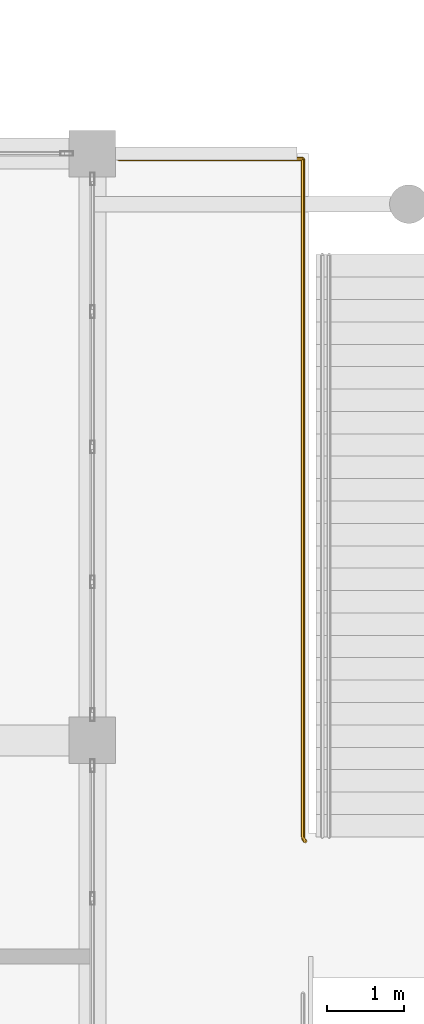
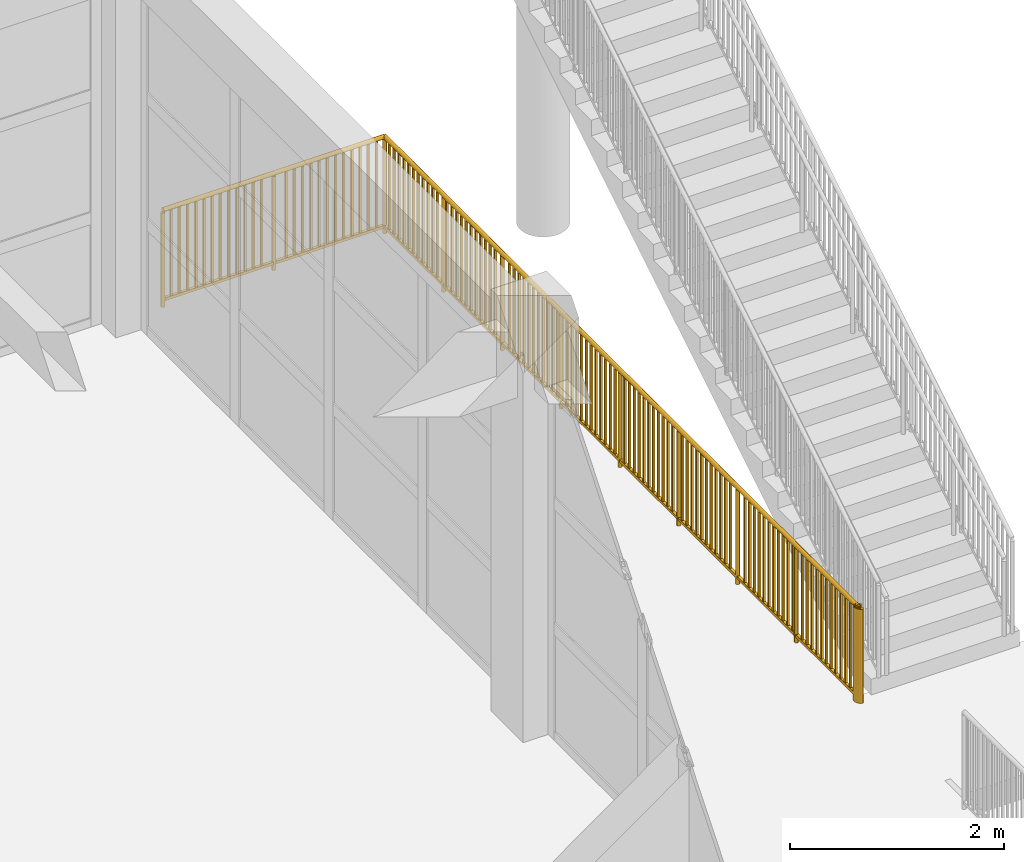
# One storey, part 48 of 50: 1 railing.
"""IFC4 building model written with IfcOpenShell, lengths in metres."""

from ifc_helpers import new_model, si_unit, direction, frame, origin, origin_2d, place, context, subcontext, project, spatial, rectangle, circle, extrude, material, type_object, element, save


model = new_model("IFC4")

# Units and contexts
model_context = context("Model", 3, precision=1e-05, world=origin(), true_north=direction((0.0, 1.0)))
body_context = subcontext(model_context, "Body", "Model", "MODEL_VIEW")
ifc_project = project(units=[si_unit("LENGTHUNIT", "METRE"), si_unit("AREAUNIT", "SQUARE_METRE"), si_unit("VOLUMEUNIT", "CUBIC_METRE"), si_unit("PLANEANGLEUNIT", "RADIAN"), si_unit("MASSUNIT", "GRAM", prefix="KILO")], contexts=[model_context])

# Site, building, storey
site_placement = place(None, origin())
site = spatial("IfcSite", under=ifc_project, at=site_placement, CompositionType="ELEMENT")
building_placement = place(site_placement, origin())
building = spatial("IfcBuilding", under=site, at=building_placement, Name="Zantavel Square City Hall", CompositionType="ELEMENT")
storey_placement = place(building_placement, frame((0.0, 0.0, 18.89990234375)))
storey = spatial("IfcBuildingStorey", under=building, at=storey_placement, Name="L05", CompositionType="ELEMENT", Elevation=18.89990234375)

# Railing
ifc_material = material(Name="Steel ASTM A500 Grade B", Category="steel")
railing_type = type_object("IfcRailingType", Name="Classical Stone & Steel Terrace Balustrade 1100mm", PredefinedType="BALUSTRADE", material=ifc_material)
railing_placement = place(storey_placement, frame((112.340087890625, 68.330078125, 0.0)))
element("IfcRailing", 1, at=railing_placement, inside=storey, type_object=railing_type, Name="L05 Terrace Balustrade 053", PredefinedType="BALUSTRADE", context=body_context, shape_type="SweptSolid", body=[
    extrude(circle(Radius=0.02392578125, at=origin_2d()), frame((0.0, 0.0, 1.09619140625), z_axis=(1.0, 0.0, 0.0), x_axis=(0.0, 1.0, 0.0)), (0.0, 0.0, 1.0), 2.389892578125),
    extrude(rectangle(XDim=0.031982421875, YDim=0.031982421875, at=origin_2d()), frame((0.0, 0.0, 0.080078125), z_axis=(1.0, 0.0, 0.0), x_axis=(0.0, 1.0, 0.0)), (0.0, 0.0, 1.0), 2.389892578125),
    extrude(rectangle(XDim=0.02197265625, YDim=0.02197265625, at=origin_2d()), frame((0.088623046875, 0.0, 0.080078125)), (0.0, 0.0, 1.0), 0.991943359375),
    extrude(rectangle(XDim=0.02197265625, YDim=0.02197265625, at=origin_2d()), frame((0.177001953125, 0.0, 0.080078125)), (0.0, 0.0, 1.0), 0.991943359375),
    extrude(rectangle(XDim=0.02197265625, YDim=0.02197265625, at=origin_2d()), frame((0.265625, 0.0, 0.080078125)), (0.0, 0.0, 1.0), 0.991943359375),
    extrude(rectangle(XDim=0.02197265625, YDim=0.02197265625, at=origin_2d()), frame((0.35400390625, 0.0, 0.080078125)), (0.0, 0.0, 1.0), 0.991943359375),
    extrude(rectangle(XDim=0.02197265625, YDim=0.02197265625, at=origin_2d()), frame((0.442626953125, 0.0, 0.080078125)), (0.0, 0.0, 1.0), 0.991943359375),
    extrude(rectangle(XDim=0.02197265625, YDim=0.02197265625, at=origin_2d()), frame((0.531005859375, 0.0, 0.080078125)), (0.0, 0.0, 1.0), 0.991943359375),
    extrude(rectangle(XDim=0.02197265625, YDim=0.02197265625, at=origin_2d()), frame((0.61962890625, 0.0, 0.080078125)), (0.0, 0.0, 1.0), 0.991943359375),
    extrude(rectangle(XDim=0.02197265625, YDim=0.02197265625, at=origin_2d()), frame((0.7080078125, 0.0, 0.080078125)), (0.0, 0.0, 1.0), 0.991943359375),
    extrude(rectangle(XDim=0.02197265625, YDim=0.02197265625, at=origin_2d()), frame((0.796630859375, 0.0, 0.080078125)), (0.0, 0.0, 1.0), 0.991943359375),
    extrude(rectangle(XDim=0.02197265625, YDim=0.02197265625, at=origin_2d()), frame((0.88525390625, 0.0, 0.080078125)), (0.0, 0.0, 1.0), 0.991943359375),
    extrude(rectangle(XDim=0.02197265625, YDim=0.02197265625, at=origin_2d()), frame((0.9736328125, 0.0, 0.080078125)), (0.0, 0.0, 1.0), 0.991943359375),
    extrude(rectangle(XDim=0.02197265625, YDim=0.02197265625, at=origin_2d()), frame((1.062255859375, 0.0, 0.080078125)), (0.0, 0.0, 1.0), 0.991943359375),
    extrude(rectangle(XDim=0.02197265625, YDim=0.02197265625, at=origin_2d()), frame((1.32763671875, 0.0, 0.080078125)), (0.0, 0.0, 1.0), 0.991943359375),
    extrude(rectangle(XDim=0.02197265625, YDim=0.02197265625, at=origin_2d()), frame((1.416259765625, 0.0, 0.080078125)), (0.0, 0.0, 1.0), 0.991943359375),
    extrude(rectangle(XDim=0.02197265625, YDim=0.02197265625, at=origin_2d()), frame((1.504638671875, 0.0, 0.080078125)), (0.0, 0.0, 1.0), 0.991943359375),
    extrude(rectangle(XDim=0.02197265625, YDim=0.02197265625, at=origin_2d()), frame((1.59326171875, 0.0, 0.080078125)), (0.0, 0.0, 1.0), 0.991943359375),
    extrude(rectangle(XDim=0.02197265625, YDim=0.02197265625, at=origin_2d()), frame((1.681884765625, 0.0, 0.080078125)), (0.0, 0.0, 1.0), 0.991943359375),
    extrude(rectangle(XDim=0.02197265625, YDim=0.02197265625, at=origin_2d()), frame((1.770263671875, 0.0, 0.080078125)), (0.0, 0.0, 1.0), 0.991943359375),
    extrude(rectangle(XDim=0.02197265625, YDim=0.02197265625, at=origin_2d()), frame((1.85888671875, 0.0, 0.080078125)), (0.0, 0.0, 1.0), 0.991943359375),
    extrude(rectangle(XDim=0.02197265625, YDim=0.02197265625, at=origin_2d()), frame((1.947265625, 0.0, 0.080078125)), (0.0, 0.0, 1.0), 0.991943359375),
    extrude(rectangle(XDim=0.02197265625, YDim=0.02197265625, at=origin_2d()), frame((2.035888671875, 0.0, 0.080078125)), (0.0, 0.0, 1.0), 0.991943359375),
    extrude(rectangle(XDim=0.02197265625, YDim=0.02197265625, at=origin_2d()), frame((2.124267578125, 0.0, 0.080078125)), (0.0, 0.0, 1.0), 0.991943359375),
    extrude(rectangle(XDim=0.02197265625, YDim=0.02197265625, at=origin_2d()), frame((2.212890625, 0.0, 0.080078125)), (0.0, 0.0, 1.0), 0.991943359375),
    extrude(rectangle(XDim=0.02197265625, YDim=0.02197265625, at=origin_2d()), frame((2.30126953125, 0.0, 0.080078125)), (0.0, 0.0, 1.0), 0.991943359375),
    extrude(circle(Radius=0.02392578125, at=origin_2d()), frame((2.389892578125, 0.0, 1.09619140625), z_axis=(0.0, -1.0, 0.0), x_axis=(1.0, 0.0, 0.0)), (0.0, 0.0, 1.0), 8.780029296875),
    extrude(rectangle(XDim=0.031982421875, YDim=0.031982421875, at=origin_2d()), frame((2.389892578125, 0.0, 0.080078125), z_axis=(0.0, -1.0, 0.0), x_axis=(1.0, 0.0, 0.0)), (0.0, 0.0, 1.0), 8.780029296875),
    extrude(rectangle(XDim=0.02197265625, YDim=0.02197265625, at=origin_2d()), frame((2.389892578125, -0.089599609375, 0.080078125)), (0.0, 0.0, 1.0), 0.991943359375),
    extrude(rectangle(XDim=0.02197265625, YDim=0.02197265625, at=origin_2d()), frame((2.389892578125, -0.17919921875, 0.080078125)), (0.0, 0.0, 1.0), 0.991943359375),
    extrude(rectangle(XDim=0.02197265625, YDim=0.02197265625, at=origin_2d()), frame((2.389892578125, -0.268798828125, 0.080078125)), (0.0, 0.0, 1.0), 0.991943359375),
    extrude(rectangle(XDim=0.02197265625, YDim=0.02197265625, at=origin_2d()), frame((2.389892578125, -0.3583984375, 0.080078125)), (0.0, 0.0, 1.0), 0.991943359375),
    extrude(rectangle(XDim=0.02197265625, YDim=0.02197265625, at=origin_2d()), frame((2.389892578125, -0.447998046875, 0.080078125)), (0.0, 0.0, 1.0), 0.991943359375),
    extrude(rectangle(XDim=0.02197265625, YDim=0.02197265625, at=origin_2d()), frame((2.389892578125, -0.53759765625, 0.080078125)), (0.0, 0.0, 1.0), 0.991943359375),
    extrude(rectangle(XDim=0.02197265625, YDim=0.02197265625, at=origin_2d()), frame((2.389892578125, -0.627197265625, 0.080078125)), (0.0, 0.0, 1.0), 0.991943359375),
    extrude(rectangle(XDim=0.02197265625, YDim=0.02197265625, at=origin_2d()), frame((2.389892578125, -0.716796875, 0.080078125)), (0.0, 0.0, 1.0), 0.991943359375),
    extrude(rectangle(XDim=0.02197265625, YDim=0.02197265625, at=origin_2d()), frame((2.389892578125, -0.806396484375, 0.080078125)), (0.0, 0.0, 1.0), 0.991943359375),
    extrude(rectangle(XDim=0.02197265625, YDim=0.02197265625, at=origin_2d()), frame((2.389892578125, -0.89599609375, 0.080078125)), (0.0, 0.0, 1.0), 0.991943359375),
    extrude(rectangle(XDim=0.02197265625, YDim=0.02197265625, at=origin_2d()), frame((2.389892578125, -0.985595703125, 0.080078125)), (0.0, 0.0, 1.0), 0.991943359375),
    extrude(rectangle(XDim=0.02197265625, YDim=0.02197265625, at=origin_2d()), frame((2.389892578125, -1.164794921875, 0.080078125)), (0.0, 0.0, 1.0), 0.991943359375),
    extrude(rectangle(XDim=0.02197265625, YDim=0.02197265625, at=origin_2d()), frame((2.389892578125, -1.25439453125, 0.080078125)), (0.0, 0.0, 1.0), 0.991943359375),
    extrude(rectangle(XDim=0.02197265625, YDim=0.02197265625, at=origin_2d()), frame((2.389892578125, -1.343994140625, 0.080078125)), (0.0, 0.0, 1.0), 0.991943359375),
    extrude(rectangle(XDim=0.02197265625, YDim=0.02197265625, at=origin_2d()), frame((2.389892578125, -1.43359375, 0.080078125)), (0.0, 0.0, 1.0), 0.991943359375),
    extrude(rectangle(XDim=0.02197265625, YDim=0.02197265625, at=origin_2d()), frame((2.389892578125, -1.52294921875, 0.080078125)), (0.0, 0.0, 1.0), 0.991943359375),
    extrude(rectangle(XDim=0.02197265625, YDim=0.02197265625, at=origin_2d()), frame((2.389892578125, -1.612548828125, 0.080078125)), (0.0, 0.0, 1.0), 0.991943359375),
    extrude(rectangle(XDim=0.02197265625, YDim=0.02197265625, at=origin_2d()), frame((2.389892578125, -1.7021484375, 0.080078125)), (0.0, 0.0, 1.0), 0.991943359375),
    extrude(rectangle(XDim=0.02197265625, YDim=0.02197265625, at=origin_2d()), frame((2.389892578125, -1.791748046875, 0.080078125)), (0.0, 0.0, 1.0), 0.991943359375),
    extrude(rectangle(XDim=0.02197265625, YDim=0.02197265625, at=origin_2d()), frame((2.389892578125, -1.88134765625, 0.080078125)), (0.0, 0.0, 1.0), 0.991943359375),
    extrude(rectangle(XDim=0.02197265625, YDim=0.02197265625, at=origin_2d()), frame((2.389892578125, -1.970947265625, 0.080078125)), (0.0, 0.0, 1.0), 0.991943359375),
    extrude(rectangle(XDim=0.02197265625, YDim=0.02197265625, at=origin_2d()), frame((2.389892578125, -2.060546875, 0.080078125)), (0.0, 0.0, 1.0), 0.991943359375),
    extrude(rectangle(XDim=0.02197265625, YDim=0.02197265625, at=origin_2d()), frame((2.389892578125, -2.329345703125, 0.080078125)), (0.0, 0.0, 1.0), 0.991943359375),
    extrude(rectangle(XDim=0.02197265625, YDim=0.02197265625, at=origin_2d()), frame((2.389892578125, -2.4189453125, 0.080078125)), (0.0, 0.0, 1.0), 0.991943359375),
    extrude(rectangle(XDim=0.02197265625, YDim=0.02197265625, at=origin_2d()), frame((2.389892578125, -2.508544921875, 0.080078125)), (0.0, 0.0, 1.0), 0.991943359375),
    extrude(rectangle(XDim=0.02197265625, YDim=0.02197265625, at=origin_2d()), frame((2.389892578125, -2.59814453125, 0.080078125)), (0.0, 0.0, 1.0), 0.991943359375),
    extrude(rectangle(XDim=0.02197265625, YDim=0.02197265625, at=origin_2d()), frame((2.389892578125, -2.687744140625, 0.080078125)), (0.0, 0.0, 1.0), 0.991943359375),
    extrude(rectangle(XDim=0.02197265625, YDim=0.02197265625, at=origin_2d()), frame((2.389892578125, -2.77734375, 0.080078125)), (0.0, 0.0, 1.0), 0.991943359375),
    extrude(rectangle(XDim=0.02197265625, YDim=0.02197265625, at=origin_2d()), frame((2.389892578125, -2.866943359375, 0.080078125)), (0.0, 0.0, 1.0), 0.991943359375),
    extrude(rectangle(XDim=0.02197265625, YDim=0.02197265625, at=origin_2d()), frame((2.389892578125, -2.95654296875, 0.080078125)), (0.0, 0.0, 1.0), 0.991943359375),
    extrude(rectangle(XDim=0.02197265625, YDim=0.02197265625, at=origin_2d()), frame((2.389892578125, -3.046142578125, 0.080078125)), (0.0, 0.0, 1.0), 0.991943359375),
    extrude(rectangle(XDim=0.02197265625, YDim=0.02197265625, at=origin_2d()), frame((2.389892578125, -3.1357421875, 0.080078125)), (0.0, 0.0, 1.0), 0.991943359375),
    extrude(rectangle(XDim=0.02197265625, YDim=0.02197265625, at=origin_2d()), frame((2.389892578125, -3.225341796875, 0.080078125)), (0.0, 0.0, 1.0), 0.991943359375),
    extrude(rectangle(XDim=0.02197265625, YDim=0.02197265625, at=origin_2d()), frame((2.389892578125, -3.404541015625, 0.080078125)), (0.0, 0.0, 1.0), 0.991943359375),
    extrude(rectangle(XDim=0.02197265625, YDim=0.02197265625, at=origin_2d()), frame((2.389892578125, -3.494140625, 0.080078125)), (0.0, 0.0, 1.0), 0.991943359375),
    extrude(rectangle(XDim=0.02197265625, YDim=0.02197265625, at=origin_2d()), frame((2.389892578125, -3.583740234375, 0.080078125)), (0.0, 0.0, 1.0), 0.991943359375),
    extrude(rectangle(XDim=0.02197265625, YDim=0.02197265625, at=origin_2d()), frame((2.389892578125, -3.67333984375, 0.080078125)), (0.0, 0.0, 1.0), 0.991943359375),
    extrude(rectangle(XDim=0.02197265625, YDim=0.02197265625, at=origin_2d()), frame((2.389892578125, -3.762939453125, 0.080078125)), (0.0, 0.0, 1.0), 0.991943359375),
    extrude(rectangle(XDim=0.02197265625, YDim=0.02197265625, at=origin_2d()), frame((2.389892578125, -3.8525390625, 0.080078125)), (0.0, 0.0, 1.0), 0.991943359375),
    extrude(rectangle(XDim=0.02197265625, YDim=0.02197265625, at=origin_2d()), frame((2.389892578125, -3.942138671875, 0.080078125)), (0.0, 0.0, 1.0), 0.991943359375),
    extrude(rectangle(XDim=0.02197265625, YDim=0.02197265625, at=origin_2d()), frame((2.389892578125, -4.03173828125, 0.080078125)), (0.0, 0.0, 1.0), 0.991943359375),
    extrude(rectangle(XDim=0.02197265625, YDim=0.02197265625, at=origin_2d()), frame((2.389892578125, -4.121337890625, 0.080078125)), (0.0, 0.0, 1.0), 0.991943359375),
    extrude(rectangle(XDim=0.02197265625, YDim=0.02197265625, at=origin_2d()), frame((2.389892578125, -4.2109375, 0.080078125)), (0.0, 0.0, 1.0), 0.991943359375),
    extrude(rectangle(XDim=0.02197265625, YDim=0.02197265625, at=origin_2d()), frame((2.389892578125, -4.300537109375, 0.080078125)), (0.0, 0.0, 1.0), 0.991943359375),
    extrude(rectangle(XDim=0.02197265625, YDim=0.02197265625, at=origin_2d()), frame((2.389892578125, -4.4794921875, 0.080078125)), (0.0, 0.0, 1.0), 0.991943359375),
    extrude(rectangle(XDim=0.02197265625, YDim=0.02197265625, at=origin_2d()), frame((2.389892578125, -4.569091796875, 0.080078125)), (0.0, 0.0, 1.0), 0.991943359375),
    extrude(rectangle(XDim=0.02197265625, YDim=0.02197265625, at=origin_2d()), frame((2.389892578125, -4.65869140625, 0.080078125)), (0.0, 0.0, 1.0), 0.991943359375),
    extrude(rectangle(XDim=0.02197265625, YDim=0.02197265625, at=origin_2d()), frame((2.389892578125, -4.748291015625, 0.080078125)), (0.0, 0.0, 1.0), 0.991943359375),
    extrude(rectangle(XDim=0.02197265625, YDim=0.02197265625, at=origin_2d()), frame((2.389892578125, -4.837890625, 0.080078125)), (0.0, 0.0, 1.0), 0.991943359375),
    extrude(rectangle(XDim=0.02197265625, YDim=0.02197265625, at=origin_2d()), frame((2.389892578125, -4.927490234375, 0.080078125)), (0.0, 0.0, 1.0), 0.991943359375),
    extrude(rectangle(XDim=0.02197265625, YDim=0.02197265625, at=origin_2d()), frame((2.389892578125, -5.01708984375, 0.080078125)), (0.0, 0.0, 1.0), 0.991943359375),
    extrude(rectangle(XDim=0.02197265625, YDim=0.02197265625, at=origin_2d()), frame((2.389892578125, -5.106689453125, 0.080078125)), (0.0, 0.0, 1.0), 0.991943359375),
    extrude(rectangle(XDim=0.02197265625, YDim=0.02197265625, at=origin_2d()), frame((2.389892578125, -5.1962890625, 0.080078125)), (0.0, 0.0, 1.0), 0.991943359375),
    extrude(rectangle(XDim=0.02197265625, YDim=0.02197265625, at=origin_2d()), frame((2.389892578125, -5.285888671875, 0.080078125)), (0.0, 0.0, 1.0), 0.991943359375),
    extrude(rectangle(XDim=0.02197265625, YDim=0.02197265625, at=origin_2d()), frame((2.389892578125, -5.37548828125, 0.080078125)), (0.0, 0.0, 1.0), 0.991943359375),
    extrude(rectangle(XDim=0.02197265625, YDim=0.02197265625, at=origin_2d()), frame((2.389892578125, -5.5546875, 0.080078125)), (0.0, 0.0, 1.0), 0.991943359375),
    extrude(rectangle(XDim=0.02197265625, YDim=0.02197265625, at=origin_2d()), frame((2.389892578125, -5.644287109375, 0.080078125)), (0.0, 0.0, 1.0), 0.991943359375),
    extrude(rectangle(XDim=0.02197265625, YDim=0.02197265625, at=origin_2d()), frame((2.389892578125, -5.73388671875, 0.080078125)), (0.0, 0.0, 1.0), 0.991943359375),
    extrude(rectangle(XDim=0.02197265625, YDim=0.02197265625, at=origin_2d()), frame((2.389892578125, -5.823486328125, 0.080078125)), (0.0, 0.0, 1.0), 0.991943359375),
    extrude(rectangle(XDim=0.02197265625, YDim=0.02197265625, at=origin_2d()), frame((2.389892578125, -5.9130859375, 0.080078125)), (0.0, 0.0, 1.0), 0.991943359375),
    extrude(rectangle(XDim=0.02197265625, YDim=0.02197265625, at=origin_2d()), frame((2.389892578125, -6.002685546875, 0.080078125)), (0.0, 0.0, 1.0), 0.991943359375),
    extrude(rectangle(XDim=0.02197265625, YDim=0.02197265625, at=origin_2d()), frame((2.389892578125, -6.09228515625, 0.080078125)), (0.0, 0.0, 1.0), 0.991943359375),
    extrude(rectangle(XDim=0.02197265625, YDim=0.02197265625, at=origin_2d()), frame((2.389892578125, -6.181884765625, 0.080078125)), (0.0, 0.0, 1.0), 0.991943359375),
    extrude(rectangle(XDim=0.02197265625, YDim=0.02197265625, at=origin_2d()), frame((2.389892578125, -6.271484375, 0.080078125)), (0.0, 0.0, 1.0), 0.991943359375),
    extrude(rectangle(XDim=0.02197265625, YDim=0.02197265625, at=origin_2d()), frame((2.389892578125, -6.361083984375, 0.080078125)), (0.0, 0.0, 1.0), 0.991943359375),
    extrude(rectangle(XDim=0.02197265625, YDim=0.02197265625, at=origin_2d()), frame((2.389892578125, -6.45068359375, 0.080078125)), (0.0, 0.0, 1.0), 0.991943359375),
    extrude(rectangle(XDim=0.02197265625, YDim=0.02197265625, at=origin_2d()), frame((2.389892578125, -6.719482421875, 0.080078125)), (0.0, 0.0, 1.0), 0.991943359375),
    extrude(rectangle(XDim=0.02197265625, YDim=0.02197265625, at=origin_2d()), frame((2.389892578125, -6.80908203125, 0.080078125)), (0.0, 0.0, 1.0), 0.991943359375),
    extrude(rectangle(XDim=0.02197265625, YDim=0.02197265625, at=origin_2d()), frame((2.389892578125, -6.898681640625, 0.080078125)), (0.0, 0.0, 1.0), 0.991943359375),
    extrude(rectangle(XDim=0.02197265625, YDim=0.02197265625, at=origin_2d()), frame((2.389892578125, -6.98828125, 0.080078125)), (0.0, 0.0, 1.0), 0.991943359375),
    extrude(rectangle(XDim=0.02197265625, YDim=0.02197265625, at=origin_2d()), frame((2.389892578125, -7.077880859375, 0.080078125)), (0.0, 0.0, 1.0), 0.991943359375),
    extrude(rectangle(XDim=0.02197265625, YDim=0.02197265625, at=origin_2d()), frame((2.389892578125, -7.16748046875, 0.080078125)), (0.0, 0.0, 1.0), 0.991943359375),
    extrude(rectangle(XDim=0.02197265625, YDim=0.02197265625, at=origin_2d()), frame((2.389892578125, -7.257080078125, 0.080078125)), (0.0, 0.0, 1.0), 0.991943359375),
    extrude(rectangle(XDim=0.02197265625, YDim=0.02197265625, at=origin_2d()), frame((2.389892578125, -7.346435546875, 0.080078125)), (0.0, 0.0, 1.0), 0.991943359375),
    extrude(rectangle(XDim=0.02197265625, YDim=0.02197265625, at=origin_2d()), frame((2.389892578125, -7.43603515625, 0.080078125)), (0.0, 0.0, 1.0), 0.991943359375),
    extrude(rectangle(XDim=0.02197265625, YDim=0.02197265625, at=origin_2d()), frame((2.389892578125, -7.525634765625, 0.080078125)), (0.0, 0.0, 1.0), 0.991943359375),
    extrude(rectangle(XDim=0.02197265625, YDim=0.02197265625, at=origin_2d()), frame((2.389892578125, -7.615234375, 0.080078125)), (0.0, 0.0, 1.0), 0.991943359375),
    extrude(rectangle(XDim=0.02197265625, YDim=0.02197265625, at=origin_2d()), frame((2.389892578125, -7.79443359375, 0.080078125)), (0.0, 0.0, 1.0), 0.991943359375),
    extrude(rectangle(XDim=0.02197265625, YDim=0.02197265625, at=origin_2d()), frame((2.389892578125, -7.884033203125, 0.080078125)), (0.0, 0.0, 1.0), 0.991943359375),
    extrude(rectangle(XDim=0.02197265625, YDim=0.02197265625, at=origin_2d()), frame((2.389892578125, -7.9736328125, 0.080078125)), (0.0, 0.0, 1.0), 0.991943359375),
    extrude(rectangle(XDim=0.02197265625, YDim=0.02197265625, at=origin_2d()), frame((2.389892578125, -8.063232421875, 0.080078125)), (0.0, 0.0, 1.0), 0.991943359375),
    extrude(rectangle(XDim=0.02197265625, YDim=0.02197265625, at=origin_2d()), frame((2.389892578125, -8.15283203125, 0.080078125)), (0.0, 0.0, 1.0), 0.991943359375),
    extrude(rectangle(XDim=0.02197265625, YDim=0.02197265625, at=origin_2d()), frame((2.389892578125, -8.242431640625, 0.080078125)), (0.0, 0.0, 1.0), 0.991943359375),
    extrude(rectangle(XDim=0.02197265625, YDim=0.02197265625, at=origin_2d()), frame((2.389892578125, -8.33203125, 0.080078125)), (0.0, 0.0, 1.0), 0.991943359375),
    extrude(rectangle(XDim=0.02197265625, YDim=0.02197265625, at=origin_2d()), frame((2.389892578125, -8.421630859375, 0.080078125)), (0.0, 0.0, 1.0), 0.991943359375),
    extrude(rectangle(XDim=0.02197265625, YDim=0.02197265625, at=origin_2d()), frame((2.389892578125, -8.51123046875, 0.080078125)), (0.0, 0.0, 1.0), 0.991943359375),
    extrude(rectangle(XDim=0.02197265625, YDim=0.02197265625, at=origin_2d()), frame((2.389892578125, -8.600830078125, 0.080078125)), (0.0, 0.0, 1.0), 0.991943359375),
    extrude(rectangle(XDim=0.02197265625, YDim=0.02197265625, at=origin_2d()), frame((2.389892578125, -8.6904296875, 0.080078125)), (0.0, 0.0, 1.0), 0.991943359375),
    extrude(circle(Radius=0.02392578125, at=origin_2d()), frame((2.389892578125, -8.780029296875, 1.09619140625), z_axis=(0.035691530512, -0.999362854348, 0.0), x_axis=(0.999362854348, 0.035691530512, 0.0)), (0.0, 0.0, 1.0), 0.0068359375),
    extrude(rectangle(XDim=0.031982421875, YDim=0.031982421875, at=origin_2d()), frame((2.389892578125, -8.780029296875, 0.080078125), z_axis=(0.035691530512, -0.999362854348, 0.0), x_axis=(0.999362854348, 0.035691530512, 0.0)), (0.0, 0.0, 1.0), 0.0068359375),
    extrude(circle(Radius=0.02392578125, at=origin_2d()), frame((2.39013671875, -8.786865234375, 1.09619140625), z_axis=(0.141421356237, -0.989949493661, 0.0), x_axis=(0.989949493661, 0.141421356237, 0.0)), (0.0, 0.0, 1.0), 0.0068359375),
    extrude(rectangle(XDim=0.031982421875, YDim=0.031982421875, at=origin_2d()), frame((2.39013671875, -8.786865234375, 0.080078125), z_axis=(0.141421356237, -0.989949493661, 0.0), x_axis=(0.989949493661, 0.141421356237, 0.0)), (0.0, 0.0, 1.0), 0.0068359375),
    extrude(circle(Radius=0.02392578125, at=origin_2d()), frame((2.39111328125, -8.793701171875, 1.09619140625), z_axis=(0.250962158784, -0.967996898166, 0.0), x_axis=(0.967996898166, 0.250962158784, 0.0)), (0.0, 0.0, 1.0), 0.0068359375),
    extrude(rectangle(XDim=0.031982421875, YDim=0.031982421875, at=origin_2d()), frame((2.39111328125, -8.793701171875, 0.080078125), z_axis=(0.250962158784, -0.967996898166, 0.0), x_axis=(0.967996898166, 0.250962158784, 0.0)), (0.0, 0.0, 1.0), 0.0068359375),
    extrude(circle(Radius=0.02392578125, at=origin_2d()), frame((2.392822265625, -8.80029296875, 1.09619140625), z_axis=(0.347314355824, -0.937748760724, 0.0), x_axis=(0.937748760724, 0.347314355824, 0.0)), (0.0, 0.0, 1.0), 0.007080078125),
    extrude(rectangle(XDim=0.031982421875, YDim=0.031982421875, at=origin_2d()), frame((2.392822265625, -8.80029296875, 0.080078125), z_axis=(0.347314355824, -0.937748760724, 0.0), x_axis=(0.937748760724, 0.347314355824, 0.0)), (0.0, 0.0, 1.0), 0.007080078125),
    extrude(circle(Radius=0.02392578125, at=origin_2d()), frame((2.395263671875, -8.806884765625, 1.09619140625), z_axis=(0.432731067585, -0.901523057468, 0.0), x_axis=(0.901523057468, 0.432731067585, 0.0)), (0.0, 0.0, 1.0), 0.0068359375),
    extrude(rectangle(XDim=0.031982421875, YDim=0.031982421875, at=origin_2d()), frame((2.395263671875, -8.806884765625, 0.080078125), z_axis=(0.432731067585, -0.901523057468, 0.0), x_axis=(0.901523057468, 0.432731067585, 0.0)), (0.0, 0.0, 1.0), 0.0068359375),
    extrude(circle(Radius=0.02392578125, at=origin_2d()), frame((2.398193359375, -8.81298828125, 1.09619140625), z_axis=(0.488603368932, -0.87250601595, 0.0), x_axis=(0.87250601595, 0.488603368932, 0.0)), (0.0, 0.0, 1.0), 0.007080078125),
    extrude(rectangle(XDim=0.031982421875, YDim=0.031982421875, at=origin_2d()), frame((2.398193359375, -8.81298828125, 0.080078125), z_axis=(0.488603368932, -0.87250601595, 0.0), x_axis=(0.87250601595, 0.488603368932, 0.0)), (0.0, 0.0, 1.0), 0.007080078125),
    extrude(circle(Radius=0.02392578125, at=origin_2d()), frame((2.401611328125, -8.819091796875, 1.09619140625), z_axis=(0.611447501076, -0.791285001392, 0.0), x_axis=(0.791285001392, 0.611447501076, 0.0)), (0.0, 0.0, 1.0), 0.0068359375),
    extrude(rectangle(XDim=0.031982421875, YDim=0.031982421875, at=origin_2d()), frame((2.401611328125, -8.819091796875, 0.080078125), z_axis=(0.611447501076, -0.791285001392, 0.0), x_axis=(0.791285001392, 0.611447501076, 0.0)), (0.0, 0.0, 1.0), 0.0068359375),
    extrude(circle(Radius=0.02392578125, at=origin_2d()), frame((2.40576171875, -8.824462890625, 1.09619140625), z_axis=(0.670913323969, -0.741535779124, 0.0), x_axis=(0.741535779124, 0.670913323969, 0.0)), (0.0, 0.0, 1.0), 0.0068359375),
    extrude(rectangle(XDim=0.031982421875, YDim=0.031982421875, at=origin_2d()), frame((2.40576171875, -8.824462890625, 0.080078125), z_axis=(0.670913323969, -0.741535779124, 0.0), x_axis=(0.741535779124, 0.670913323969, 0.0)), (0.0, 0.0, 1.0), 0.0068359375),
    extrude(circle(Radius=0.02392578125, at=origin_2d()), frame((2.410400390625, -8.82958984375, 1.09619140625), z_axis=(0.741535779124, -0.670913323969, 0.0), x_axis=(0.670913323969, 0.741535779124, 0.0)), (0.0, 0.0, 1.0), 0.0068359375),
    extrude(rectangle(XDim=0.031982421875, YDim=0.031982421875, at=origin_2d()), frame((2.410400390625, -8.82958984375, 0.080078125), z_axis=(0.741535779124, -0.670913323969, 0.0), x_axis=(0.670913323969, 0.741535779124, 0.0)), (0.0, 0.0, 1.0), 0.0068359375),
    extrude(circle(Radius=0.02392578125, at=origin_2d()), frame((2.41552734375, -8.834228515625, 1.09619140625), z_axis=(0.8106792284, -0.585490553844, 0.0), x_axis=(0.585490553844, 0.8106792284, 0.0)), (0.0, 0.0, 1.0), 0.00537109375),
    extrude(rectangle(XDim=0.031982421875, YDim=0.031982421875, at=origin_2d()), frame((2.41552734375, -8.834228515625, 0.080078125), z_axis=(0.8106792284, -0.585490553844, 0.0), x_axis=(0.585490553844, 0.8106792284, 0.0)), (0.0, 0.0, 1.0), 0.00537109375),
    extrude(circle(Radius=0.02099609375, at=origin_2d()), origin(), (0.0, 0.0, 1.0), 1.072021484375),
    extrude(circle(Radius=0.02099609375, at=origin_2d()), frame((1.19482421875, 0.0, 0.0)), (0.0, 0.0, 1.0), 1.072021484375),
    extrude(circle(Radius=0.02099609375, at=origin_2d()), frame((2.389892578125, 0.0, 0.0)), (0.0, 0.0, 1.0), 1.072021484375),
    extrude(circle(Radius=0.02099609375, at=origin_2d()), frame((2.389892578125, -1.097412109375, 0.0)), (0.0, 0.0, 1.0), 1.072021484375),
    extrude(circle(Radius=0.02099609375, at=origin_2d()), frame((2.389892578125, -2.195068359375, 0.0)), (0.0, 0.0, 1.0), 1.072021484375),
    extrude(circle(Radius=0.02099609375, at=origin_2d()), frame((2.389892578125, -3.29248046875, 0.0)), (0.0, 0.0, 1.0), 1.072021484375),
    extrude(circle(Radius=0.02099609375, at=origin_2d()), frame((2.389892578125, -4.39013671875, 0.0)), (0.0, 0.0, 1.0), 1.072021484375),
    extrude(circle(Radius=0.02099609375, at=origin_2d()), frame((2.389892578125, -5.487548828125, 0.0)), (0.0, 0.0, 1.0), 1.072021484375),
    extrude(circle(Radius=0.02099609375, at=origin_2d()), frame((2.389892578125, -6.5849609375, 0.0)), (0.0, 0.0, 1.0), 1.072021484375),
    extrude(circle(Radius=0.02099609375, at=origin_2d()), frame((2.389892578125, -7.6826171875, 0.0)), (0.0, 0.0, 1.0), 1.072021484375),
    extrude(circle(Radius=0.02099609375, at=origin_2d()), frame((2.389892578125, -8.780029296875, 0.0)), (0.0, 0.0, 1.0), 1.072021484375),
    extrude(circle(Radius=0.02099609375, at=origin_2d()), frame((2.39013671875, -8.786865234375, 0.0)), (0.0, 0.0, 1.0), 1.072021484375),
    extrude(circle(Radius=0.02099609375, at=origin_2d()), frame((2.39111328125, -8.793701171875, 0.0)), (0.0, 0.0, 1.0), 1.072021484375),
    extrude(circle(Radius=0.02099609375, at=origin_2d()), frame((2.392822265625, -8.80029296875, 0.0)), (0.0, 0.0, 1.0), 1.072021484375),
    extrude(circle(Radius=0.02099609375, at=origin_2d()), frame((2.395263671875, -8.806884765625, 0.0)), (0.0, 0.0, 1.0), 1.072021484375),
    extrude(circle(Radius=0.02099609375, at=origin_2d()), frame((2.398193359375, -8.81298828125, 0.0)), (0.0, 0.0, 1.0), 1.072021484375),
    extrude(circle(Radius=0.02099609375, at=origin_2d()), frame((2.401611328125, -8.819091796875, 0.0)), (0.0, 0.0, 1.0), 1.072021484375),
    extrude(circle(Radius=0.02099609375, at=origin_2d()), frame((2.40576171875, -8.824462890625, 0.0)), (0.0, 0.0, 1.0), 1.072021484375),
    extrude(circle(Radius=0.02099609375, at=origin_2d()), frame((2.410400390625, -8.82958984375, 0.0)), (0.0, 0.0, 1.0), 1.072021484375),
    extrude(circle(Radius=0.02099609375, at=origin_2d()), frame((2.41552734375, -8.834228515625, 0.0)), (0.0, 0.0, 1.0), 1.072021484375),
    extrude(circle(Radius=0.02099609375, at=origin_2d()), frame((2.419921875, -8.83740234375, 0.0)), (0.0, 0.0, 1.0), 1.072021484375),
])

save(model, "model.ifc")
